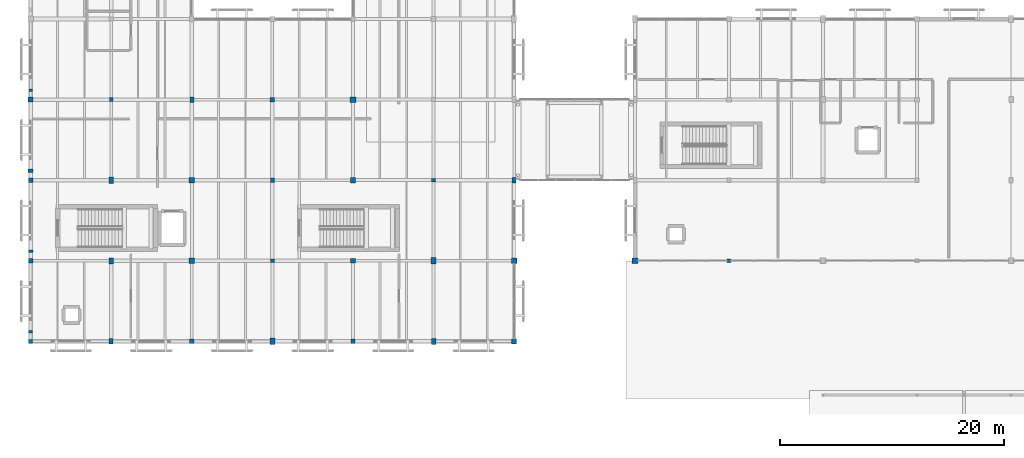
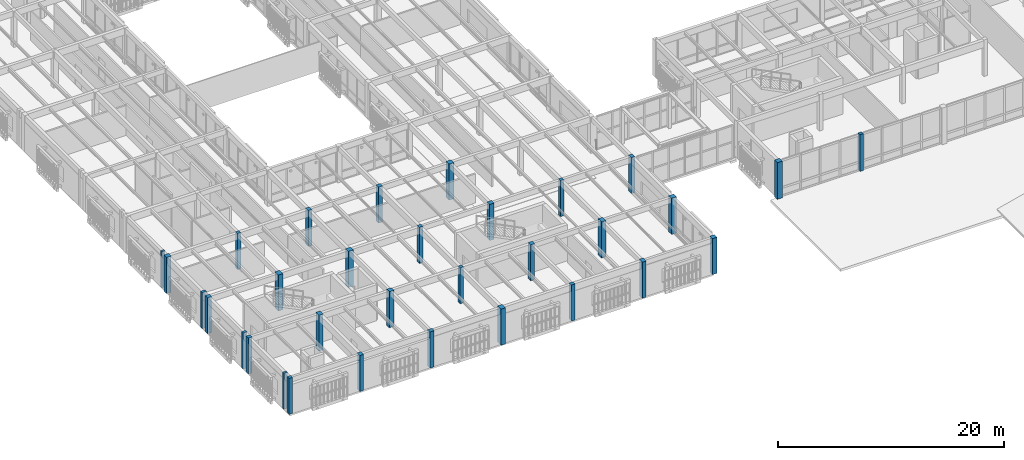
# One storey, part 1 of 217: 32 columns.
"""IFC4 building model written with IfcOpenShell, lengths in metres."""

from ifc_helpers import new_model, si_unit, direction, frame, origin, origin_2d, place, context, subcontext, project, spatial, rectangle, extrude, material, material_profile, profile_set, type_object, element, save


model = new_model("IFC4")

# Units and contexts
model_context = context("Model", 3, precision=1e-05, world=origin(), true_north=direction((0.0, 1.0)))
body_context = subcontext(model_context, "Body", "Model", "MODEL_VIEW")
ifc_project = project(units=[si_unit("LENGTHUNIT", "METRE"), si_unit("AREAUNIT", "SQUARE_METRE"), si_unit("VOLUMEUNIT", "CUBIC_METRE"), si_unit("PLANEANGLEUNIT", "RADIAN"), si_unit("MASSUNIT", "GRAM", prefix="KILO")], contexts=[model_context])

# Site, building, storey
site_placement = place(None, origin())
site = spatial("IfcSite", under=ifc_project, at=site_placement, CompositionType="ELEMENT")
building_placement = place(site_placement, origin())
building = spatial("IfcBuilding", under=site, at=building_placement, Name="Mazaris Harbour Polytechnic", CompositionType="ELEMENT")
storey_placement = place(building_placement, frame((0.0, 0.0, 9.60009765625)))
storey = spatial("IfcBuildingStorey", under=building, at=storey_placement, Name="L02", CompositionType="ELEMENT", Elevation=9.60009765625)

# Columns
ifc_material_1 = material(Name="Glulam GL28h", Category="wood")
ifc_material_profile_1 = material_profile(ifc_material_1, rectangle(XDim=0.340087890625, YDim=0.340087890625, at=origin_2d()), Name="RECT340x340")
ifc_profile_set_1 = profile_set([ifc_material_profile_1], Name="Glulam GL28h")
column_type_1 = type_object("IfcColumnType", Name="Glulam Column 340x340", PredefinedType="COLUMN", material=ifc_profile_set_1)
for number, where, z_axis, x_axis, name in (
    (1, (7.199951171875, 28.800048828125, 0.0), (0.0, 0.0, 1.0), (1.0, 0.0, 0.0), "V4 L02 Column 832"),
    (2, (21.60009765625, 14.39990234375, 0.0), (0.0, 0.0, 1.0), (1.0, 0.0, 0.0), "V4 L02 Column 856"),
    (3, (36.0, 21.60009765625, 0.0), (0.0, 0.0, 1.0), (1.0, 0.0, 0.0), "V4 L02 Column 880"),
):
    element("IfcColumn", number, at=place(storey_placement, frame(where, z_axis=z_axis, x_axis=x_axis)), inside=storey, type_object=column_type_1, Name=name, PredefinedType="COLUMN", context=body_context, shape_type="SweptSolid", body=[
        extrude(rectangle(XDim=0.340087890625, YDim=0.340087890625, at=origin_2d()), origin(), (0.0, 0.0, 1.0), 3.889892578125),
    ])
ifc_material_2 = material(Name="Glulam GL28h", Category="wood")
ifc_material_profile_2 = material_profile(ifc_material_2, rectangle(XDim=0.340087890625, YDim=0.340087890625, at=origin_2d()), Name="RECT340x340")
ifc_profile_set_2 = profile_set([ifc_material_profile_2], Name="Glulam GL28h")
column_type_2 = type_object("IfcColumnType", Name="Glulam Column 340x340 Exterior", PredefinedType="COLUMN", material=ifc_profile_set_2)
column_1_placement = place(storey_placement, frame((62.39990234375, 14.39990234375, 0.0), z_axis=(0.0, 0.0, 1.0), x_axis=(1.0, 0.0, 0.0)))
element("IfcColumn", 4, at=column_1_placement, inside=storey, type_object=column_type_2, Name="V3 L02 Column 512", PredefinedType="COLUMN", context=body_context, shape_type="SweptSolid", body=[
    extrude(rectangle(XDim=0.340087890625, YDim=0.340087890625, at=origin_2d()), origin(), (0.0, 0.0, 1.0), 3.9599609375),
])
column_2_placement = place(storey_placement, frame((0.0, 7.199951171875, 0.0), z_axis=(0.0, 0.0, 1.0), x_axis=(1.0, 0.0, 0.0)))
element("IfcColumn", 5, at=column_2_placement, inside=storey, type_object=column_type_2, Name="V4 L02 Column 816", PredefinedType="COLUMN", context=body_context, shape_type="SweptSolid", body=[
    extrude(rectangle(XDim=0.340087890625, YDim=0.340087890625, at=origin_2d()), origin(), (0.0, 0.0, 1.0), 3.889892578125),
])
ifc_material_3 = material(Name="Glulam GL28h", Category="wood")
ifc_material_profile_3 = material_profile(ifc_material_3, rectangle(XDim=0.360107421875, YDim=0.47998046875, at=origin_2d()), Name="RECT360x480")
ifc_profile_set_3 = profile_set([ifc_material_profile_3], Name="Glulam GL28h")
column_type_3 = type_object("IfcColumnType", Name="Glulam Column 360x480", PredefinedType="COLUMN", material=ifc_profile_set_3)
column_3_placement = place(storey_placement, frame((14.39990234375, 28.800048828125, 0.0), z_axis=(0.0, 0.0, 1.0), x_axis=(1.0, 0.0, 0.0)))
element("IfcColumn", 6, at=column_3_placement, inside=storey, type_object=column_type_3, Name="V4 L02 Column 845", PredefinedType="COLUMN", context=body_context, shape_type="SweptSolid", body=[
    extrude(rectangle(XDim=0.360107421875, YDim=0.47998046875, at=origin_2d()), origin(), (0.0, 0.0, 1.0), 3.889892578125),
])
ifc_material_4 = material(Name="Glulam GL28h", Category="wood")
ifc_material_profile_4 = material_profile(ifc_material_4, rectangle(XDim=0.360107421875, YDim=0.47998046875, at=origin_2d()), Name="RECT360x480")
ifc_profile_set_4 = profile_set([ifc_material_profile_4], Name="Glulam GL28h")
column_type_4 = type_object("IfcColumnType", Name="Glulam Column 360x480 Exterior", PredefinedType="COLUMN", material=ifc_profile_set_4)
for number, where, z_axis, x_axis, name in (
    (7, (7.199951171875, 7.199951171875, 0.0), (0.0, 0.0, 1.0), (1.0, 0.0, 0.0), "V4 L02 Column 829"),
    (8, (43.199951171875, 21.60009765625, 0.0), (0.0, 0.0, 1.0), (1.0, 0.0, 0.0), "V4 L02 Column 893"),
):
    element("IfcColumn", number, at=place(storey_placement, frame(where, z_axis=z_axis, x_axis=x_axis)), inside=storey, type_object=column_type_4, Name=name, PredefinedType="COLUMN", context=body_context, shape_type="SweptSolid", body=[
        extrude(rectangle(XDim=0.360107421875, YDim=0.47998046875, at=origin_2d()), origin(), (0.0, 0.0, 1.0), 3.889892578125),
    ])
ifc_material_5 = material(Name="Glulam GL28h", Category="wood")
ifc_material_profile_5 = material_profile(ifc_material_5, rectangle(XDim=0.3798828125, YDim=0.3798828125, at=origin_2d()), Name="RECT380x380")
ifc_profile_set_5 = profile_set([ifc_material_profile_5], Name="Glulam GL28h")
column_type_5 = type_object("IfcColumnType", Name="Glulam Column 380x380", PredefinedType="COLUMN", material=ifc_profile_set_5)
column_4_placement = place(storey_placement, frame((21.60009765625, 21.60009765625, 0.0), z_axis=(0.0, 0.0, 1.0), x_axis=(1.0, 0.0, 0.0)))
element("IfcColumn", 9, at=column_4_placement, inside=storey, type_object=column_type_5, Name="V4 L02 Column 857", PredefinedType="COLUMN", context=body_context, shape_type="SweptSolid", body=[
    extrude(rectangle(XDim=0.3798828125, YDim=0.3798828125, at=origin_2d()), origin(), (0.0, 0.0, 1.0), 3.889892578125),
])
ifc_material_6 = material(Name="Glulam GL28h", Category="wood")
ifc_material_profile_6 = material_profile(ifc_material_6, rectangle(XDim=0.3798828125, YDim=0.3798828125, at=origin_2d()), Name="RECT380x380")
ifc_profile_set_6 = profile_set([ifc_material_profile_6], Name="Glulam GL28h")
column_type_6 = type_object("IfcColumnType", Name="Glulam Column 380x380 Exterior", PredefinedType="COLUMN", material=ifc_profile_set_6)
for number, where, z_axis, x_axis, name in (
    (10, (0.0, 14.39990234375, 0.0), (0.0, 0.0, 1.0), (1.0, 0.0, 0.0), "V4 L02 Column 817"),
    (11, (28.800048828125, 7.199951171875, 0.0), (0.0, 0.0, 1.0), (1.0, 0.0, 0.0), "V4 L02 Column 865"),
):
    element("IfcColumn", number, at=place(storey_placement, frame(where, z_axis=z_axis, x_axis=x_axis)), inside=storey, type_object=column_type_6, Name=name, PredefinedType="COLUMN", context=body_context, shape_type="SweptSolid", body=[
        extrude(rectangle(XDim=0.3798828125, YDim=0.3798828125, at=origin_2d()), origin(), (0.0, 0.0, 1.0), 3.889892578125),
    ])
ifc_material_7 = material(Name="Glulam GL28h", Category="wood")
ifc_material_profile_7 = material_profile(ifc_material_7, rectangle(XDim=0.39990234375, YDim=0.5400390625, at=origin_2d()), Name="RECT400x540")
ifc_profile_set_7 = profile_set([ifc_material_profile_7], Name="Glulam GL28h")
column_type_7 = type_object("IfcColumnType", Name="Glulam Column 400x540", PredefinedType="COLUMN", material=ifc_profile_set_7)
column_5_placement = place(storey_placement, frame((7.199951171875, 14.39990234375, 0.0), z_axis=(0.0, 0.0, 1.0), x_axis=(1.0, 0.0, 0.0)))
element("IfcColumn", 12, at=column_5_placement, inside=storey, type_object=column_type_7, Name="V4 L02 Column 830", PredefinedType="COLUMN", context=body_context, shape_type="SweptSolid", body=[
    extrude(rectangle(XDim=0.39990234375, YDim=0.5400390625, at=origin_2d()), origin(), (0.0, 0.0, 1.0), 3.889892578125),
])
ifc_material_8 = material(Name="Glulam GL28h", Category="wood")
ifc_material_profile_8 = material_profile(ifc_material_8, rectangle(XDim=0.39990234375, YDim=0.5400390625, at=origin_2d()), Name="RECT400x540")
ifc_profile_set_8 = profile_set([ifc_material_profile_8], Name="Glulam GL28h")
column_type_8 = type_object("IfcColumnType", Name="Glulam Column 400x540 Exterior", PredefinedType="COLUMN", material=ifc_profile_set_8)
column_6_placement = place(storey_placement, frame((36.0, 7.199951171875, 0.0), z_axis=(0.0, 0.0, 1.0), x_axis=(1.0, 0.0, 0.0)))
element("IfcColumn", 13, at=column_6_placement, inside=storey, type_object=column_type_8, Name="V4 L02 Column 878", PredefinedType="COLUMN", context=body_context, shape_type="SweptSolid", body=[
    extrude(rectangle(XDim=0.39990234375, YDim=0.5400390625, at=origin_2d()), origin(), (0.0, 0.0, 1.0), 3.889892578125),
])
ifc_material_9 = material(Name="Glulam GL28h", Category="wood")
ifc_material_profile_9 = material_profile(ifc_material_9, rectangle(XDim=0.419921875, YDim=0.419921875, at=origin_2d()), Name="RECT420x420")
ifc_profile_set_9 = profile_set([ifc_material_profile_9], Name="Glulam GL28h")
column_type_9 = type_object("IfcColumnType", Name="Glulam Column 420x420", PredefinedType="COLUMN", material=ifc_profile_set_9)
for number, where, z_axis, x_axis, name in (
    (14, (21.60009765625, 28.800048828125, 0.0), (0.0, 0.0, 1.0), (1.0, 0.0, 0.0), "V4 L02 Column 858"),
    (15, (28.800048828125, 14.39990234375, 0.0), (0.0, 0.0, 1.0), (1.0, 0.0, 0.0), "V4 L02 Column 866"),
):
    element("IfcColumn", number, at=place(storey_placement, frame(where, z_axis=z_axis, x_axis=x_axis)), inside=storey, type_object=column_type_9, Name=name, PredefinedType="COLUMN", context=body_context, shape_type="SweptSolid", body=[
        extrude(rectangle(XDim=0.419921875, YDim=0.419921875, at=origin_2d()), origin(), (0.0, 0.0, 1.0), 3.889892578125),
    ])
ifc_material_10 = material(Name="Glulam GL28h", Category="wood")
ifc_material_profile_10 = material_profile(ifc_material_10, rectangle(XDim=0.419921875, YDim=0.419921875, at=origin_2d()), Name="RECT420x420")
ifc_profile_set_10 = profile_set([ifc_material_profile_10], Name="Glulam GL28h")
column_type_10 = type_object("IfcColumnType", Name="Glulam Column 420x420 Exterior", PredefinedType="COLUMN", material=ifc_profile_set_10)
for number, where, z_axis, x_axis, name in (
    (16, (0.0, 21.60009765625, 0.0), (0.0, 0.0, 1.0), (1.0, 0.0, 0.0), "V4 L02 Column 818"),
    (17, (14.39990234375, 7.199951171875, 0.0), (0.0, 0.0, 1.0), (1.0, 0.0, 0.0), "V4 L02 Column 842"),
):
    element("IfcColumn", number, at=place(storey_placement, frame(where, z_axis=z_axis, x_axis=x_axis)), inside=storey, type_object=column_type_10, Name=name, PredefinedType="COLUMN", context=body_context, shape_type="SweptSolid", body=[
        extrude(rectangle(XDim=0.419921875, YDim=0.419921875, at=origin_2d()), origin(), (0.0, 0.0, 1.0), 3.889892578125),
    ])
ifc_material_11 = material(Name="Glulam GL28h", Category="wood")
ifc_material_profile_11 = material_profile(ifc_material_11, rectangle(XDim=0.43994140625, YDim=0.60009765625, at=origin_2d()), Name="RECT440x600")
ifc_profile_set_11 = profile_set([ifc_material_profile_11], Name="Glulam GL28h")
column_type_11 = type_object("IfcColumnType", Name="Glulam Column 440x600", PredefinedType="COLUMN", material=ifc_profile_set_11)
for number, where, z_axis, x_axis, name in (
    (18, (7.199951171875, 21.60009765625, 0.0), (0.0, 0.0, 1.0), (1.0, 0.0, 0.0), "V4 L02 Column 831"),
    (19, (36.0, 14.39990234375, 0.0), (0.0, 0.0, 1.0), (1.0, 0.0, 0.0), "V4 L02 Column 879"),
):
    element("IfcColumn", number, at=place(storey_placement, frame(where, z_axis=z_axis, x_axis=x_axis)), inside=storey, type_object=column_type_11, Name=name, PredefinedType="COLUMN", context=body_context, shape_type="SweptSolid", body=[
        extrude(rectangle(XDim=0.43994140625, YDim=0.60009765625, at=origin_2d()), origin(), (0.0, 0.0, 1.0), 3.889892578125),
    ])
ifc_material_12 = material(Name="Glulam GL28h", Category="wood")
ifc_material_profile_12 = material_profile(ifc_material_12, rectangle(XDim=0.43994140625, YDim=0.60009765625, at=origin_2d()), Name="RECT440x600")
ifc_profile_set_12 = profile_set([ifc_material_profile_12], Name="Glulam GL28h")
column_type_12 = type_object("IfcColumnType", Name="Glulam Column 440x600 Exterior", PredefinedType="COLUMN", material=ifc_profile_set_12)
column_7_placement = place(storey_placement, frame((21.60009765625, 7.199951171875, 0.0), z_axis=(0.0, 0.0, 1.0), x_axis=(1.0, 0.0, 0.0)))
element("IfcColumn", 20, at=column_7_placement, inside=storey, type_object=column_type_12, Name="V4 L02 Column 855", PredefinedType="COLUMN", context=body_context, shape_type="SweptSolid", body=[
    extrude(rectangle(XDim=0.43994140625, YDim=0.60009765625, at=origin_2d()), origin(), (0.0, 0.0, 1.0), 3.889892578125),
])
ifc_material_13 = material(Name="Glulam GL28h", Category="wood")
ifc_material_profile_13 = material_profile(ifc_material_13, rectangle(XDim=0.4599609375, YDim=0.4599609375, at=origin_2d()), Name="RECT460x460")
ifc_profile_set_13 = profile_set([ifc_material_profile_13], Name="Glulam GL28h")
column_type_13 = type_object("IfcColumnType", Name="Glulam Column 460x460", PredefinedType="COLUMN", material=ifc_profile_set_13)
for number, where, z_axis, x_axis, name in (
    (21, (14.39990234375, 14.39990234375, 0.0), (0.0, 0.0, 1.0), (1.0, 0.0, 0.0), "V4 L02 Column 843"),
    (22, (28.800048828125, 21.60009765625, 0.0), (0.0, 0.0, 1.0), (1.0, 0.0, 0.0), "V4 L02 Column 867"),
):
    element("IfcColumn", number, at=place(storey_placement, frame(where, z_axis=z_axis, x_axis=x_axis)), inside=storey, type_object=column_type_13, Name=name, PredefinedType="COLUMN", context=body_context, shape_type="SweptSolid", body=[
        extrude(rectangle(XDim=0.4599609375, YDim=0.4599609375, at=origin_2d()), origin(), (0.0, 0.0, 1.0), 3.889892578125),
    ])
ifc_material_14 = material(Name="Glulam GL28h", Category="wood")
ifc_material_profile_14 = material_profile(ifc_material_14, rectangle(XDim=0.4599609375, YDim=0.4599609375, at=origin_2d()), Name="RECT460x460")
ifc_profile_set_14 = profile_set([ifc_material_profile_14], Name="Glulam GL28h")
column_type_14 = type_object("IfcColumnType", Name="Glulam Column 460x460 Exterior", PredefinedType="COLUMN", material=ifc_profile_set_14)
for number, where, z_axis, x_axis, name in (
    (23, (0.0, 28.800048828125, 0.0), (0.0, 0.0, 1.0), (1.0, 0.0, 0.0), "V4 L02 Column 819"),
    (24, (43.199951171875, 7.199951171875, 0.0), (0.0, 0.0, 1.0), (1.0, 0.0, 0.0), "V4 L02 Column 891"),
):
    element("IfcColumn", number, at=place(storey_placement, frame(where, z_axis=z_axis, x_axis=x_axis)), inside=storey, type_object=column_type_14, Name=name, PredefinedType="COLUMN", context=body_context, shape_type="SweptSolid", body=[
        extrude(rectangle(XDim=0.4599609375, YDim=0.4599609375, at=origin_2d()), origin(), (0.0, 0.0, 1.0), 3.889892578125),
    ])
ifc_material_15 = material(Name="Glulam GL28h", Category="wood")
ifc_material_profile_15 = material_profile(ifc_material_15, rectangle(XDim=0.5, YDim=0.5, at=origin_2d()), Name="RECT500x500")
ifc_profile_set_15 = profile_set([ifc_material_profile_15], Name="Glulam GL28h")
column_type_15 = type_object("IfcColumnType", Name="Glulam Column 500x500", PredefinedType="COLUMN", material=ifc_profile_set_15)
for number, where, z_axis, x_axis, name in (
    (25, (14.39990234375, 21.60009765625, 0.0), (0.0, 0.0, 1.0), (1.0, 0.0, 0.0), "V4 L02 Column 844"),
    (26, (28.800048828125, 28.800048828125, 0.0), (0.0, 0.0, 1.0), (1.0, 0.0, 0.0), "V4 L02 Column 868"),
):
    element("IfcColumn", number, at=place(storey_placement, frame(where, z_axis=z_axis, x_axis=x_axis)), inside=storey, type_object=column_type_15, Name=name, PredefinedType="COLUMN", context=body_context, shape_type="SweptSolid", body=[
        extrude(rectangle(XDim=0.5, YDim=0.5, at=origin_2d()), origin(), (0.0, 0.0, 1.0), 3.889892578125),
    ])
ifc_material_16 = material(Name="Glulam GL28h", Category="wood")
ifc_material_profile_16 = material_profile(ifc_material_16, rectangle(XDim=0.5, YDim=0.5, at=origin_2d()), Name="RECT500x500")
ifc_profile_set_16 = profile_set([ifc_material_profile_16], Name="Glulam GL28h")
column_type_16 = type_object("IfcColumnType", Name="Glulam Column 500x500 Exterior", PredefinedType="COLUMN", material=ifc_profile_set_16)
column_8_placement = place(storey_placement, frame((54.0, 14.39990234375, 0.0), z_axis=(0.0, 0.0, 1.0), x_axis=(1.0, 0.0, 0.0)))
element("IfcColumn", 27, at=column_8_placement, inside=storey, type_object=column_type_16, Name="V3 L02 Column 508", PredefinedType="COLUMN", context=body_context, shape_type="SweptSolid", body=[
    extrude(rectangle(XDim=0.5, YDim=0.5, at=origin_2d()), origin(), (0.0, 0.0, 1.0), 3.9599609375),
])
column_9_placement = place(storey_placement, frame((43.199951171875, 14.39990234375, 0.0), z_axis=(0.0, 0.0, 1.0), x_axis=(1.0, 0.0, 0.0)))
element("IfcColumn", 28, at=column_9_placement, inside=storey, type_object=column_type_16, Name="V4 L02 Column 892", PredefinedType="COLUMN", context=body_context, shape_type="SweptSolid", body=[
    extrude(rectangle(XDim=0.5, YDim=0.5, at=origin_2d()), origin(), (0.0, 0.0, 1.0), 3.889892578125),
])
ifc_material_17 = material(Name="Concrete C35/45", Category="concrete")
ifc_material_profile_17 = material_profile(ifc_material_17, rectangle(XDim=0.320068359375, YDim=0.219970703125, at=origin_2d()), Name="RECT320x220")
ifc_profile_set_17 = profile_set([ifc_material_profile_17], Name="Concrete C35/45")
column_type_17 = type_object("IfcColumnType", Name="Limestone Pilaster 320x220", PredefinedType="PILASTER", material=ifc_profile_set_17)
column_10_placement = place(storey_placement, frame((0.0, 29.64990234375, 0.0), z_axis=(0.0, 0.0, 1.0), x_axis=(1.0, 0.0, 0.0)))
element("IfcColumn", 29, at=column_10_placement, inside=storey, type_object=column_type_17, Name="V4 L02 Giant Order Pilaster 40", PredefinedType="PILASTER", context=body_context, shape_type="SweptSolid", body=[
    extrude(rectangle(XDim=0.320068359375, YDim=0.219970703125, at=origin_2d()), origin(), (0.0, 0.0, 1.0), 3.889892578125),
])
ifc_material_18 = material(Name="Concrete C35/45", Category="concrete")
ifc_material_profile_18 = material_profile(ifc_material_18, rectangle(XDim=0.360107421875, YDim=0.239990234375, at=origin_2d()), Name="RECT360x240")
ifc_profile_set_18 = profile_set([ifc_material_profile_18], Name="Concrete C35/45")
column_type_18 = type_object("IfcColumnType", Name="Limestone Pilaster 360x240", PredefinedType="PILASTER", material=ifc_profile_set_18)
column_11_placement = place(storey_placement, frame((0.0, 8.050048828125, 0.0), z_axis=(0.0, 0.0, 1.0), x_axis=(1.0, 0.0, 0.0)))
element("IfcColumn", 30, at=column_11_placement, inside=storey, type_object=column_type_18, Name="V4 L02 Giant Order Pilaster 37", PredefinedType="PILASTER", context=body_context, shape_type="SweptSolid", body=[
    extrude(rectangle(XDim=0.360107421875, YDim=0.239990234375, at=origin_2d()), origin(), (0.0, 0.0, 1.0), 3.889892578125),
])
ifc_material_19 = material(Name="Concrete C35/45", Category="concrete")
ifc_material_profile_19 = material_profile(ifc_material_19, rectangle(XDim=0.39990234375, YDim=0.260009765625, at=origin_2d()), Name="RECT400x260")
ifc_profile_set_19 = profile_set([ifc_material_profile_19], Name="Concrete C35/45")
column_type_19 = type_object("IfcColumnType", Name="Limestone Pilaster 400x260", PredefinedType="PILASTER", material=ifc_profile_set_19)
column_12_placement = place(storey_placement, frame((0.0, 15.25, 0.0), z_axis=(0.0, 0.0, 1.0), x_axis=(1.0, 0.0, 0.0)))
element("IfcColumn", 31, at=column_12_placement, inside=storey, type_object=column_type_19, Name="V4 L02 Giant Order Pilaster 38", PredefinedType="PILASTER", context=body_context, shape_type="SweptSolid", body=[
    extrude(rectangle(XDim=0.39990234375, YDim=0.260009765625, at=origin_2d()), origin(), (0.0, 0.0, 1.0), 3.889892578125),
])
ifc_material_20 = material(Name="Concrete C35/45", Category="concrete")
ifc_material_profile_20 = material_profile(ifc_material_20, rectangle(XDim=0.43994140625, YDim=0.280029296875, at=origin_2d()), Name="RECT440x280")
ifc_profile_set_20 = profile_set([ifc_material_profile_20], Name="Concrete C35/45")
column_type_20 = type_object("IfcColumnType", Name="Limestone Pilaster 440x280", PredefinedType="PILASTER", material=ifc_profile_set_20)
column_13_placement = place(storey_placement, frame((0.0, 22.449951171875, 0.0), z_axis=(0.0, 0.0, 1.0), x_axis=(1.0, 0.0, 0.0)))
element("IfcColumn", 32, at=column_13_placement, inside=storey, type_object=column_type_20, Name="V4 L02 Giant Order Pilaster 39", PredefinedType="PILASTER", context=body_context, shape_type="SweptSolid", body=[
    extrude(rectangle(XDim=0.43994140625, YDim=0.280029296875, at=origin_2d()), origin(), (0.0, 0.0, 1.0), 3.889892578125),
])

save(model, "model.ifc")
